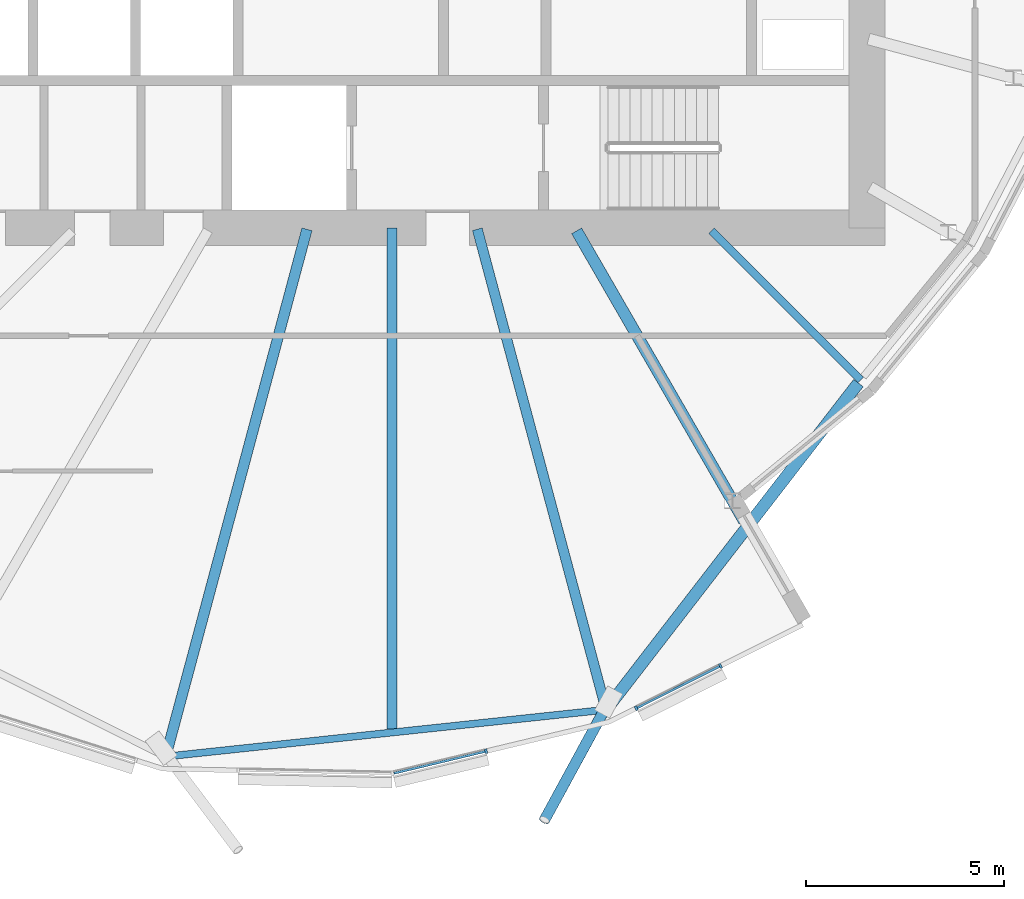
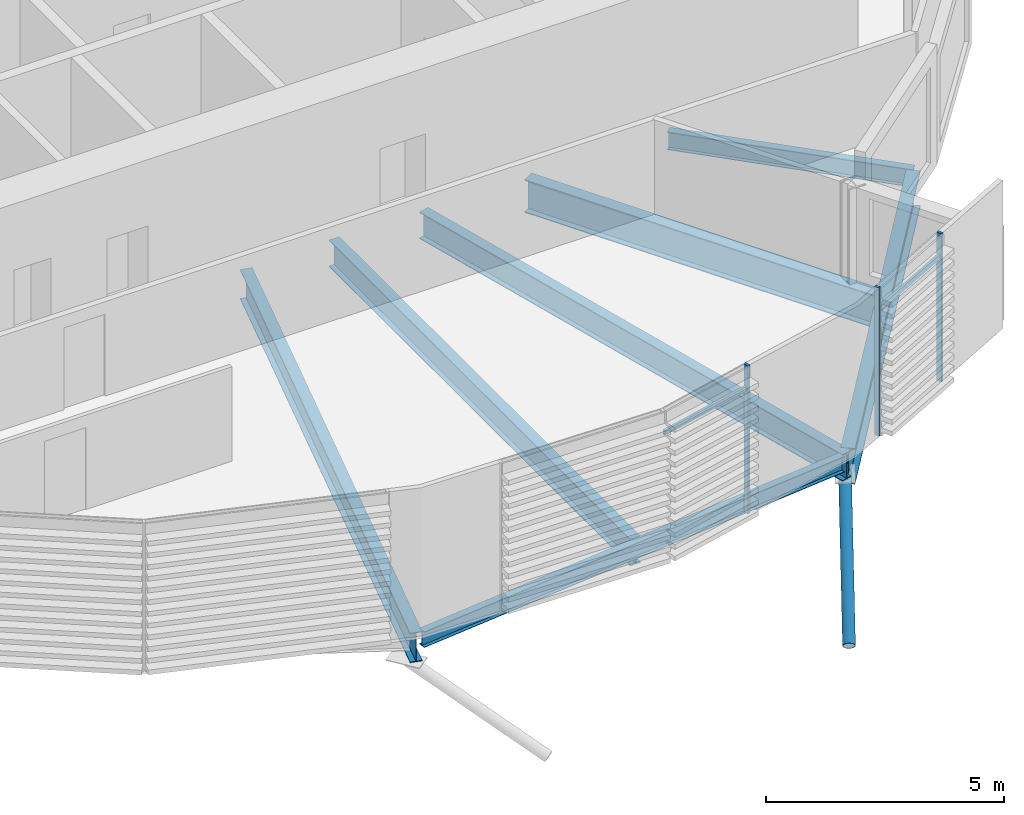
# One storey, part 13 of 37: 7 beams, 6 members, 1 element without a shape of its own.
"""IFC4 building model written with IfcOpenShell, lengths in metres."""

from ifc_helpers import new_model, si_unit, direction, frame, origin, origin_2d, place, context, subcontext, project, spatial, rectangle, hollow_circle, i_section, extrude, clip, halfspace, material, material_profile, profile_set, type_object, element, aggregate, save


model = new_model("IFC4")

# Units and contexts
model_context = context("Model", 3, precision=1e-05, world=origin(), true_north=direction((0.0, 1.0)))
body_context = subcontext(model_context, "Body", "Model", "MODEL_VIEW")
ifc_project = project(units=[si_unit("LENGTHUNIT", "METRE"), si_unit("AREAUNIT", "SQUARE_METRE"), si_unit("VOLUMEUNIT", "CUBIC_METRE"), si_unit("PLANEANGLEUNIT", "RADIAN"), si_unit("MASSUNIT", "GRAM", prefix="KILO")], contexts=[model_context])

# Site, building, storey
site_placement = place(None, origin())
site = spatial("IfcSite", under=ifc_project, at=site_placement, CompositionType="ELEMENT")
building_placement = place(site_placement, origin())
building = spatial("IfcBuilding", under=site, at=building_placement, Name="Rimbun Link Towers", CompositionType="ELEMENT")
storey_placement = place(building_placement, frame((0.0, 0.0, 60.39990234375)))
storey = spatial("IfcBuildingStorey", under=building, at=storey_placement, Name="L14", CompositionType="ELEMENT", Elevation=60.39990234375)

# Curtain wall, members
ifc_material_1 = material(Name="Aluminium 6063-T6 and low-iron glass", Category="aluminium")
curtain_wall_type = type_object("IfcCurtainWallType", Name="CW1 unitised vision wall", PredefinedType="NOTDEFINED", material=ifc_material_1)
curtain_wall_placement = place(storey_placement, origin())
curtain_wall = element("IfcCurtainWall", 1, at=curtain_wall_placement, inside=storey, type_object=curtain_wall_type, Name="CW1 L14 T2", PredefinedType="NOTDEFINED")
ifc_material_2 = material(Name="Aluminium 6063-T6", Category="aluminium")
ifc_material_profile_1 = material_profile(ifc_material_2, rectangle(XDim=0.1201171875, YDim=0.06005859375, at=origin_2d()), Name="MULLION 60X120")
ifc_profile_set_1 = profile_set([ifc_material_profile_1], Name="Aluminium 6063-T6")
member_type_1 = type_object("IfcMemberType", Name="CW1 mullion 60X120", PredefinedType="MULLION", material=ifc_profile_set_1)
member_1_placement = place(storey_placement, frame((34.123779296875, -21.224365234375, 0.0), z_axis=(0.0, 0.0, 1.0), x_axis=(0.232603182737, -0.972571724543, 0.0)))
member_1 = element("IfcMember", 2, at=member_1_placement, type_object=member_type_1, Name="CW1 mullion", PredefinedType="MULLION", context=body_context, shape_type="SweptSolid", body=[
    extrude(rectangle(XDim=0.1201171875, YDim=0.06005859375, at=origin_2d()), origin(), (0.0, 0.0, 1.0), 3.800048828125),
])
member_2_placement = place(storey_placement, frame((40.047119140625, -19.070068359375, 0.0), z_axis=(0.0, 0.0, 1.0), x_axis=(0.448789200311, -0.893637652343, 0.0)))
member_2 = element("IfcMember", 3, at=member_2_placement, type_object=member_type_1, Name="CW1 mullion", PredefinedType="MULLION", context=body_context, shape_type="SweptSolid", body=[
    extrude(rectangle(XDim=0.1201171875, YDim=0.06005859375, at=origin_2d()), origin(), (0.0, 0.0, 1.0), 3.800048828125),
])
member_3_placement = place(storey_placement, frame((37.919189453125, -20.138671875, 0.0), z_axis=(0.0, 0.0, 1.0), x_axis=(0.448789200311, -0.893637652343, 0.0)))
member_3 = element("IfcMember", 4, at=member_3_placement, type_object=member_type_1, Name="CW1 mullion", PredefinedType="MULLION", context=body_context, shape_type="SweptSolid", body=[
    extrude(rectangle(XDim=0.1201171875, YDim=0.06005859375, at=origin_2d()), origin(), (0.0, 0.0, 1.0), 3.800048828125),
])
ifc_material_3 = material(Name="Aluminium 6063-T6", Category="aluminium")
ifc_material_profile_2 = material_profile(ifc_material_3, rectangle(XDim=0.06005859375, YDim=0.1201171875, at=origin_2d()), Name="TRANSOM 60X120")
ifc_profile_set_2 = profile_set([ifc_material_profile_2], Name="Aluminium 6063-T6")
member_type_2 = type_object("IfcMemberType", Name="CW1 transom 60X120", PredefinedType="USERDEFINED", material=ifc_profile_set_2)
member_4_placement = place(storey_placement, frame((34.093994140625, -21.229248046875, 3.2001953125), z_axis=(-0.972556563442, -0.232666565941, 0.0), x_axis=(0.232666565941, -0.972556563442, 0.0)))
member_4 = element("IfcMember", 5, at=member_4_placement, type_object=member_type_2, Name="CW1 transom", ObjectType="TRANSOM", PredefinedType="USERDEFINED", context=body_context, shape_type="SweptSolid", body=[
    extrude(rectangle(XDim=0.06005859375, YDim=0.1201171875, at=origin_2d()), origin(), (0.0, 0.0, 1.0), 2.3662109375),
])
member_5_placement = place(storey_placement, frame((40.019287109375, -19.08154296875, 3.2001953125), z_axis=(-0.893626378825, -0.448811647652, 0.0), x_axis=(0.448811647652, -0.893626378825, 0.0)))
member_5 = element("IfcMember", 6, at=member_5_placement, type_object=member_type_2, Name="CW1 transom", ObjectType="TRANSOM", PredefinedType="USERDEFINED", context=body_context, shape_type="SweptSolid", body=[
    extrude(rectangle(XDim=0.06005859375, YDim=0.1201171875, at=origin_2d()), origin(), (0.0, 0.0, 1.0), 2.321044921875),
])
aggregate(curtain_wall, [member_1, member_2, member_3, member_4, member_5])

# Member
ifc_material_4 = material(Name="Steel S355J2H", Category="steel")
ifc_material_profile_3 = material_profile(ifc_material_4, hollow_circle(Radius=0.136474609375, WallThickness=0.012451171875, at=origin_2d()), Name="CHS 273x12.5")
ifc_profile_set_3 = profile_set([ifc_material_profile_3], Name="Steel S355J2H")
member_type_3 = type_object("IfcMemberType", Name="Floor edge link CHS 273x12.5", PredefinedType="BRACE", material=ifc_profile_set_3)
member_6_placement = place(storey_placement, frame((37.142822265625, -20.126708984375, -0.961181640625), z_axis=(-0.411404267477, -0.755538553028, -0.509811753091), x_axis=(0.87824115002, -0.478218028112, 0.0)))
element("IfcMember", 7, at=member_6_placement, inside=storey, type_object=member_type_3, Name="Floor edge link T2 L14 16", PredefinedType="BRACE", context=body_context, shape_type="Clipping", body=[
    clip(extrude(hollow_circle(Radius=0.136474609375, WallThickness=0.012451171875, at=origin_2d()), frame((0.0, 0.0, -0.480224609375)), (0.0, 0.0, 1.0), 4.243896484375), halfspace(frame((0.0, 0.0, -0.22705078125), z_axis=(0.0, 0.860285985246, -0.509811753091)), False)),
])

# Beams
ifc_material_5 = material(Name="Steel S355J2", Category="steel")
ifc_material_profile_4 = material_profile(ifc_material_5, i_section(OverallWidth=0.177978515625, OverallDepth=0.406494140625, WebThickness=0.0078125, FlangeThickness=0.0126953125, at=origin_2d()), Name="UB 406x178x60")
ifc_profile_set_4 = profile_set([ifc_material_profile_4], Name="Steel S355J2")
beam_type_1 = type_object("IfcBeamType", Name="UB 406x178x60", PredefinedType="BEAM", material=ifc_profile_set_4)
beam_1_placement = place(storey_placement, frame((26.169921875, -21.344482421875, -0.363037109375), z_axis=(0.994381754429, 0.105853325211, 0.0), x_axis=(-0.105853325211, 0.994381754429, 0.0)))
element("IfcBeam", 8, at=beam_1_placement, inside=storey, type_object=beam_type_1, Name="Edge beam T2 L14 14-16", PredefinedType="BEAM", context=body_context, shape_type="SweptSolid", body=[
    extrude(i_section(OverallWidth=0.177978515625, OverallDepth=0.406494140625, WebThickness=0.0078125, FlangeThickness=0.0126953125, at=origin_2d()), origin(), (0.0, 0.0, 1.0), 10.91845703125),
])
ifc_material_6 = material(Name="Steel S355J2", Category="steel")
ifc_material_profile_5 = material_profile(ifc_material_6, i_section(OverallWidth=0.18994140625, OverallDepth=0.453369140625, WebThickness=0.008544921875, FlangeThickness=0.0126953125, at=origin_2d()), Name="UB 457x191x67")
ifc_profile_set_5 = profile_set([ifc_material_profile_5], Name="Steel S355J2")
beam_type_2 = type_object("IfcBeamType", Name="UB 457x191x67", PredefinedType="BEAM", material=ifc_profile_set_5)
beam_2_placement = place(storey_placement, frame((39.81787109375, -8.06787109375, -0.38671875), z_axis=(0.707106781187, -0.707106781187, 0.0), x_axis=(0.707106781187, 0.707106781187, 0.0)))
element("IfcBeam", 9, at=beam_2_placement, inside=storey, type_object=beam_type_2, Name="Radial beam T2 L14 18", PredefinedType="BEAM", context=body_context, shape_type="SweptSolid", body=[
    extrude(i_section(OverallWidth=0.18994140625, OverallDepth=0.453369140625, WebThickness=0.008544921875, FlangeThickness=0.0126953125, at=origin_2d()), origin(), (0.0, 0.0, 1.0), 5.338134765625),
])
ifc_material_7 = material(Name="Steel S355J2", Category="steel")
ifc_material_profile_6 = material_profile(ifc_material_7, i_section(OverallWidth=0.253662109375, OverallDepth=0.68359375, WebThickness=0.012451171875, FlangeThickness=0.01904296875, at=origin_2d()), Name="UB 686x254x140")
ifc_profile_set_6 = profile_set([ifc_material_profile_6], Name="Steel S355J2")
beam_type_3 = type_object("IfcBeamType", Name="UB 686x254x140", PredefinedType="BEAM", material=ifc_profile_set_6)
beam_3_placement = place(storey_placement, frame((31.75, -8.0009765625, -0.501708984375), z_axis=(0.0, -1.0, 0.0), x_axis=(1.0, 0.0, 0.0)))
element("IfcBeam", 10, at=beam_3_placement, inside=storey, type_object=beam_type_3, Name="Radial beam T2 L14 15", PredefinedType="BEAM", context=body_context, shape_type="SweptSolid", body=[
    extrude(i_section(OverallWidth=0.253662109375, OverallDepth=0.68359375, WebThickness=0.012451171875, FlangeThickness=0.01904296875, at=origin_2d()), origin(), (0.0, 0.0, 1.0), 12.658935546875),
])
beam_4_placement = place(storey_placement, frame((33.902587890625, -8.03369140625, -0.501708984375), z_axis=(0.258830257283, -0.965922821924, 0.0), x_axis=(0.965922821924, 0.258830257283, 0.0)))
element("IfcBeam", 11, at=beam_4_placement, inside=storey, type_object=beam_type_3, Name="Radial beam T2 L14 16", PredefinedType="BEAM", context=body_context, shape_type="SweptSolid", body=[
    extrude(i_section(OverallWidth=0.253662109375, OverallDepth=0.68359375, WebThickness=0.012451171875, FlangeThickness=0.01904296875, at=origin_2d()), origin(), (0.0, 0.0, 1.0), 12.569580078125),
])
ifc_material_8 = material(Name="Steel S355J2", Category="steel")
ifc_material_profile_7 = material_profile(ifc_material_8, i_section(OverallWidth=0.2666015625, OverallDepth=0.76220703125, WebThickness=0.014404296875, FlangeThickness=0.021484375, at=origin_2d()), Name="UB 762x267x173")
ifc_profile_set_7 = profile_set([ifc_material_profile_7], Name="Steel S355J2")
beam_type_4 = type_object("IfcBeamType", Name="UB 762x267x173", PredefinedType="BEAM", material=ifc_profile_set_7)
beam_5_placement = place(storey_placement, frame((29.596923828125, -8.035400390625, -0.541015625), z_axis=(-0.258825730822, -0.965924034831, 0.0), x_axis=(0.965924034831, -0.258825730822, 0.0)))
element("IfcBeam", 12, at=beam_5_placement, inside=storey, type_object=beam_type_4, Name="Radial beam T2 L14 14", PredefinedType="BEAM", context=body_context, shape_type="SweptSolid", body=[
    extrude(i_section(OverallWidth=0.2666015625, OverallDepth=0.76220703125, WebThickness=0.014404296875, FlangeThickness=0.021484375, at=origin_2d()), origin(), (0.0, 0.0, 1.0), 13.794189453125),
])
ifc_material_9 = material(Name="Steel S355J2", Category="steel")
ifc_material_profile_8 = material_profile(ifc_material_9, i_section(OverallWidth=0.29248046875, OverallDepth=0.8408203125, WebThickness=0.0126953125, FlangeThickness=0.021728515625, at=origin_2d()), Name="UB 838x292x194")
ifc_profile_set_8 = profile_set([ifc_material_profile_8], Name="Steel S355J2")
beam_type_5 = type_object("IfcBeamType", Name="UB 838x292x194", PredefinedType="BEAM", material=ifc_profile_set_8)
beam_6_placement = place(storey_placement, frame((36.41162109375, -8.073974609375, -0.580322265625), z_axis=(0.499984530349, -0.866034335007, 0.0), x_axis=(0.866034335007, 0.499984530349, 0.0)))
element("IfcBeam", 13, at=beam_6_placement, inside=storey, type_object=beam_type_5, Name="Radial beam T2 L14 17", PredefinedType="BEAM", context=body_context, shape_type="SweptSolid", body=[
    extrude(i_section(OverallWidth=0.29248046875, OverallDepth=0.8408203125, WebThickness=0.0126953125, FlangeThickness=0.021728515625, at=origin_2d()), origin(), (0.0, 0.0, 1.0), 8.467041015625),
])
ifc_material_10 = material(Name="Steel S355J2", Category="steel")
ifc_material_profile_9 = material_profile(ifc_material_10, i_section(OverallWidth=0.305419921875, OverallDepth=0.91845703125, WebThickness=0.017333984375, FlangeThickness=0.02783203125, at=origin_2d()), Name="UB 914x305x253")
ifc_profile_set_9 = profile_set([ifc_material_profile_9], Name="Steel S355J2")
beam_type_6 = type_object("IfcBeamType", Name="UB 914x305x253", PredefinedType="BEAM", material=ifc_profile_set_9)
beam_7_placement = place(storey_placement, frame((37.25390625, -20.048095703125, -0.619140625), z_axis=(0.611332498881, 0.791373853379, 0.0), x_axis=(-0.791373853379, 0.611332498881, 0.0)))
element("IfcBeam", 14, at=beam_7_placement, inside=storey, type_object=beam_type_6, Name="Edge beam T2 L14 16-18", PredefinedType="BEAM", context=body_context, shape_type="SweptSolid", body=[
    extrude(i_section(OverallWidth=0.305419921875, OverallDepth=0.91845703125, WebThickness=0.017333984375, FlangeThickness=0.02783203125, at=origin_2d()), origin(), (0.0, 0.0, 1.0), 10.27197265625),
])

save(model, "model.ifc")
